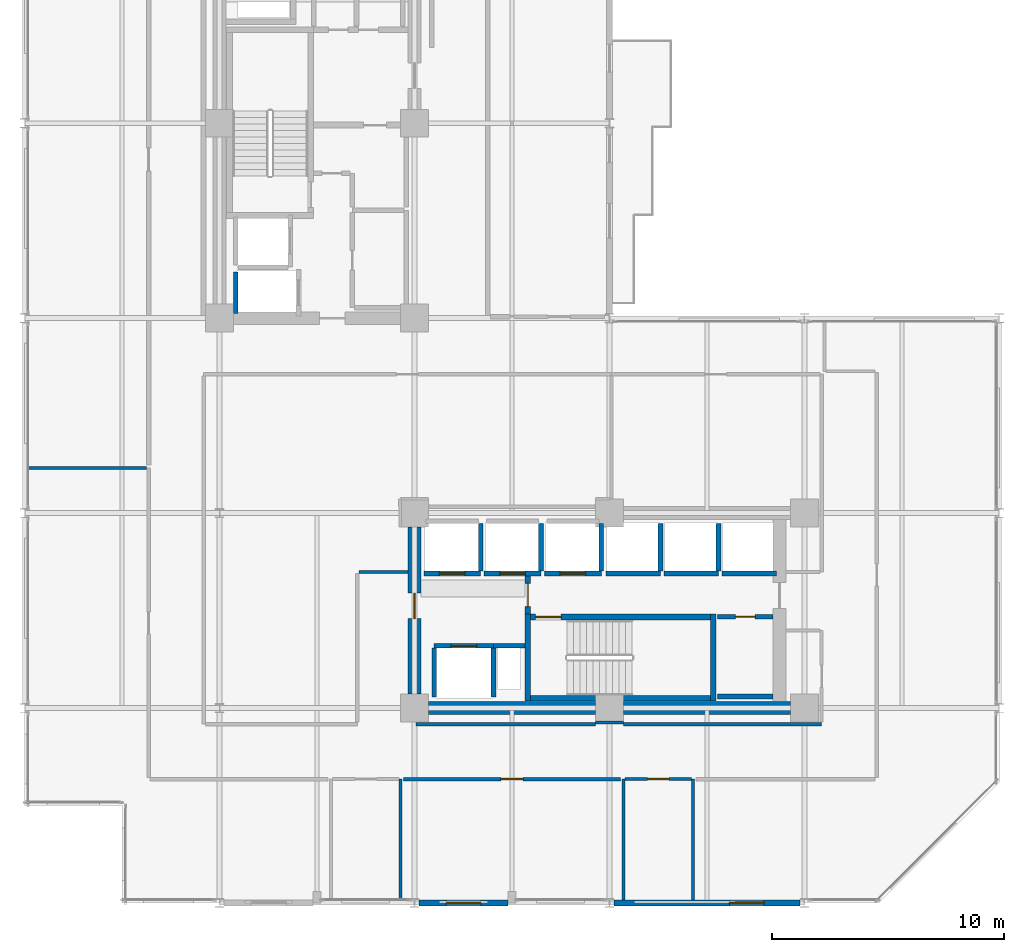
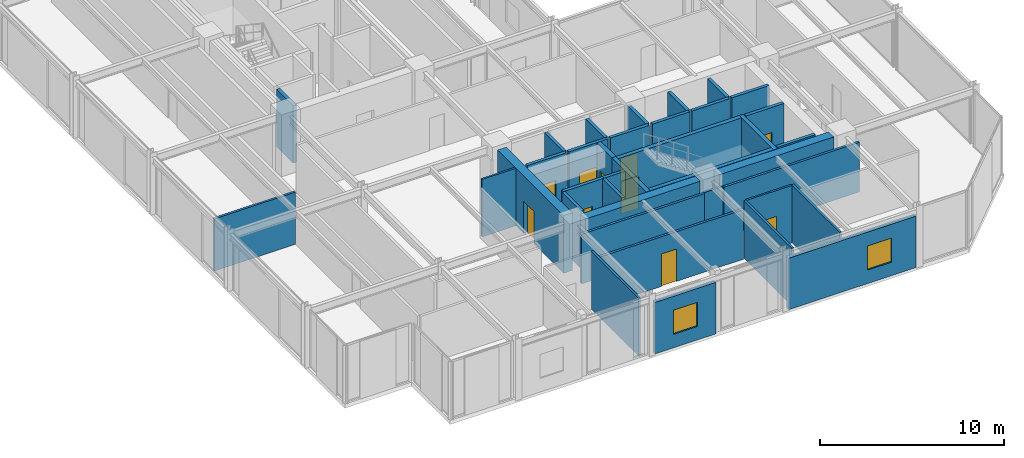
# One storey, part 24 of 29: 38 walls, 10 doors, 2 windows, 12 openings.
"""IFC4 building model written with IfcOpenShell, lengths in metres."""

from ifc_helpers import new_model, si_unit, direction, frame, frame_2d, origin, place, context, subcontext, project, spatial, rectangle, extrude, material, layer, layer_set, type_object, element, fill, save


model = new_model("IFC4")

# Units and contexts
model_context = context("Model", 3, precision=1e-05, world=origin(), true_north=direction((0.0, 1.0)))
body_context = subcontext(model_context, "Body", "Model", "MODEL_VIEW")
ifc_project = project(units=[si_unit("LENGTHUNIT", "METRE"), si_unit("AREAUNIT", "SQUARE_METRE"), si_unit("VOLUMEUNIT", "CUBIC_METRE"), si_unit("PLANEANGLEUNIT", "RADIAN"), si_unit("MASSUNIT", "GRAM", prefix="KILO")], contexts=[model_context])

# Site, building, storey
site_placement = place(None, origin())
site = spatial("IfcSite", under=ifc_project, at=site_placement, CompositionType="ELEMENT")
building_placement = place(site_placement, origin())
building = spatial("IfcBuilding", under=site, at=building_placement, Name="Nerrivon Quay Data Exchange", CompositionType="ELEMENT")
storey_placement = place(building_placement, frame((0.0, 0.0, 121.300048828125)))
storey = spatial("IfcBuildingStorey", under=building, at=storey_placement, Name="L28", CompositionType="ELEMENT", Elevation=121.300048828125)

# Wall, opening, window
ifc_material_1 = material(Name="Architectural terracotta precast concrete N50 (50 MPa)", Category="masonry")
ifc_layer_1 = layer(ifc_material_1, 0.239990234375)
ifc_layer_set_1 = layer_set([ifc_layer_1], Name="Architectural terracotta precast concrete N50 (50 MPa)")
wall_type_1 = type_object("IfcWallType", Name="EW-PREC-240", PredefinedType="STANDARD", material=ifc_layer_set_1)
wall_1_placement = place(storey_placement, frame((33.39990234375, 0.0, 0.0), z_axis=(0.0, 0.0, 1.0), x_axis=(-1.0, 0.0, 0.0)))
wall_1 = element("IfcWall", 1, at=wall_1_placement, inside=storey, type_object=wall_type_1, Name="L28 Podium Precast Spandrel Wall 3", PredefinedType="STANDARD", context=body_context, shape_type="SweptSolid", body=[
    extrude(rectangle(XDim=8.0, YDim=0.239990234375, at=frame_2d((4.0, 0.0))), origin(), (0.0, 0.0, 1.0), 3.421875),
])
opening_1_placement = place(wall_1_placement, frame((1.534912109375, 0.0, 0.89990234375)))
opening_1 = element("IfcOpeningElement", 2, at=opening_1_placement, cuts=wall_1, Name="Opening WN4", PredefinedType="OPENING", context=body_context, shape_type="SweptSolid", body=[
    extrude(rectangle(XDim=1.5, YDim=1.60009765625, at=frame_2d((0.75, 0.800048828125))), frame((0.0, 0.1298828125, 0.0), z_axis=(0.0, -1.0, 0.0), x_axis=(1.0, 0.0, 0.0)), (0.0, 0.0, 1.0), 0.260009765625),
])
ifc_material_2 = material(Name="Double-glazed low-E solar control glass", Category="glass")
window_type = type_object("IfcWindowType", Name="WIN-W4-1500x1600", PartitioningType="SINGLE_PANEL", PredefinedType="WINDOW", material=ifc_material_2)
window_1_placement = place(opening_1_placement, origin())
window_1 = element("IfcWindow", 3, at=window_1_placement, inside=storey, type_object=window_type, Name="L28 Solar Facade Window 3", OverallHeight=1.60009765625, OverallWidth=1.5, PartitioningType="SINGLE_PANEL", PredefinedType="WINDOW", context=body_context, shape_type="SweptSolid", body=[
    extrude(rectangle(XDim=1.5, YDim=1.60009765625, at=frame_2d((0.75, 0.800048828125))), frame((0.0, 0.030029296875, 0.0), z_axis=(0.0, -1.0, 0.0), x_axis=(1.0, 0.0, 0.0)), (0.0, 0.0, 1.0), 0.06005859375),
])
fill(opening_1, window_1)

wall_2_placement = place(storey_placement, frame((20.824951171875, 0.0, 0.0), z_axis=(0.0, 0.0, 1.0), x_axis=(-1.0, 0.0, 0.0)))
wall_2 = element("IfcWall", 4, at=wall_2_placement, inside=storey, type_object=wall_type_1, Name="L28 Podium Precast Spandrel Wall 5", PredefinedType="STANDARD", context=body_context, shape_type="SweptSolid", body=[
    extrude(rectangle(XDim=3.824951171875, YDim=0.239990234375, at=frame_2d((1.91259765625, 0.0))), origin(), (0.0, 0.0, 1.0), 3.421875),
])
opening_2_placement = place(wall_2_placement, frame((1.16259765625, 0.0, 0.89990234375)))
opening_2 = element("IfcOpeningElement", 5, at=opening_2_placement, cuts=wall_2, Name="Opening WN4", PredefinedType="OPENING", context=body_context, shape_type="SweptSolid", body=[
    extrude(rectangle(XDim=1.5, YDim=1.60009765625, at=frame_2d((0.75, 0.800048828125))), frame((0.0, 0.1298828125, 0.0), z_axis=(0.0, -1.0, 0.0), x_axis=(1.0, 0.0, 0.0)), (0.0, 0.0, 1.0), 0.260009765625),
])
window_2_placement = place(opening_2_placement, origin())
window_2 = element("IfcWindow", 6, at=window_2_placement, inside=storey, type_object=window_type, Name="L28 Solar Facade Window 5", OverallHeight=1.60009765625, OverallWidth=1.5, PartitioningType="SINGLE_PANEL", PredefinedType="WINDOW", context=body_context, shape_type="SweptSolid", body=[
    extrude(rectangle(XDim=1.5, YDim=1.60009765625, at=frame_2d((0.75, 0.800048828125))), frame((0.0, 0.030029296875, 0.0), z_axis=(0.0, -1.0, 0.0), x_axis=(1.0, 0.0, 0.0)), (0.0, 0.0, 1.0), 0.06005859375),
])
fill(opening_2, window_2)

# Walls
ifc_material_3 = material(Name="Concrete S65 (65 MPa)", Category="concrete")
ifc_layer_2 = layer(ifc_material_3, 0.550048828125)
ifc_layer_set_2 = layer_set([ifc_layer_2], Name="Concrete S65 (65 MPa)")
wall_type_2 = type_object("IfcWallType", Name="WALL-CW-700", PredefinedType="SHEAR", material=ifc_layer_set_2)
wall_3_placement = place(storey_placement, frame((17.39990234375, 8.39990234375, 0.0), z_axis=(0.0, 0.0, 1.0), x_axis=(1.0, 0.0, 0.0)))
element("IfcWall", 7, at=wall_3_placement, inside=storey, type_object=wall_type_2, Name="L28 East Split-Core Shear Wall ECW-S1", PredefinedType="SHEAR", context=body_context, shape_type="SweptSolid", body=[
    extrude(rectangle(XDim=7.2001953125, YDim=0.550048828125, at=frame_2d((3.60009765625, 0.0))), origin(), (0.0, 0.0, 1.0), 3.824951171875),
])
wall_4_placement = place(storey_placement, frame((25.800048828125, 8.39990234375, 0.0), z_axis=(0.0, 0.0, 1.0), x_axis=(1.0, 0.0, 0.0)))
element("IfcWall", 8, at=wall_4_placement, inside=storey, type_object=wall_type_2, Name="L28 East Split-Core Shear Wall ECW-S2", PredefinedType="SHEAR", context=body_context, shape_type="SweptSolid", body=[
    extrude(rectangle(XDim=7.199951171875, YDim=0.550048828125, at=frame_2d((3.60009765625, 0.0))), origin(), (0.0, 0.0, 1.0), 3.824951171875),
])

# Wall, opening, door
wall_5_placement = place(storey_placement, frame((16.800048828125, 9.0, 0.0), z_axis=(0.0, 0.0, 1.0), x_axis=(0.0, 1.0, 0.0)))
wall_5 = element("IfcWall", 9, at=wall_5_placement, inside=storey, type_object=wall_type_2, Name="L28 East Split-Core Shear Wall ECW-W1", PredefinedType="SHEAR", context=body_context, shape_type="SweptSolid", body=[
    extrude(rectangle(XDim=7.199951171875, YDim=0.550048828125, at=frame_2d((3.60009765625, 0.0))), origin(), (0.0, 0.0, 1.0), 3.824951171875),
])
opening_3_placement = place(wall_5_placement, frame((3.25, 0.0, 0.0)))
opening_3 = element("IfcOpeningElement", 10, at=opening_3_placement, cuts=wall_5, Name="Opening FD-120", PredefinedType="OPENING", context=body_context, shape_type="SweptSolid", body=[
    extrude(rectangle(XDim=1.10009765625, YDim=2.14990234375, at=frame_2d((0.550048828125, 1.074951171875))), frame((0.0, 0.284912109375, 0.0), z_axis=(0.0, -1.0, 0.0), x_axis=(1.0, 0.0, 0.0)), (0.0, 0.0, 1.0), 0.570068359375),
])
ifc_material_4 = material(Name="Powder-coated galvanized steel sheet", Category="steel")
door_type_1 = type_object("IfcDoorType", Name="DR-FD120-1100", OperationType="NOTDEFINED", PredefinedType="DOOR", material=ifc_material_4)
door_1_placement = place(opening_3_placement, origin())
door_1 = element("IfcDoor", 11, at=door_1_placement, inside=storey, type_object=door_type_1, Name="L28 East Core Lobby Fire Door", OperationType="SINGLE_SWING_RIGHT", OverallHeight=2.14990234375, OverallWidth=1.10009765625, PredefinedType="DOOR", context=body_context, shape_type="SweptSolid", body=[
    extrude(rectangle(XDim=1.10009765625, YDim=2.14990234375, at=frame_2d((0.550048828125, 1.074951171875))), frame((0.0, 0.02490234375, 0.0), z_axis=(0.0, -1.0, 0.0), x_axis=(1.0, 0.0, 0.0)), (0.0, 0.0, 1.0), 0.050048828125),
])
fill(opening_3, door_1)

# Walls
ifc_material_5 = material(Name="Gypsum plasterboard on cold-formed framing", Category="gypsum")
ifc_layer_3 = layer(ifc_material_5, 0.199951171875)
ifc_layer_set_3 = layer_set([ifc_layer_3], Name="Gypsum plasterboard on cold-formed framing")
wall_type_3 = type_object("IfcWallType", Name="WALL-FW-200", PredefinedType="PARTITIONING", material=ifc_layer_set_3)
wall_6_placement = place(storey_placement, frame((20.199951171875, 11.080078125, 0.0), z_axis=(0.0, 0.0, 1.0), x_axis=(1.0, 0.0, 0.0)))
element("IfcWall", 12, at=wall_6_placement, inside=storey, type_object=wall_type_3, Name="L28 East Core MEP Riser Shaft Wall N", PredefinedType="PARTITIONING", context=body_context, shape_type="SweptSolid", body=[
    extrude(rectangle(XDim=1.35009765625, YDim=0.199951171875, at=frame_2d((0.675048828125, 0.0))), origin(), (0.0, 0.0, 1.0), 3.824951171875),
])
wall_7_placement = place(storey_placement, frame((9.10009765625, 25.39990234375, 0.0), z_axis=(0.0, 0.0, 1.0), x_axis=(0.0, 1.0, 0.0)))
element("IfcWall", 13, at=wall_7_placement, inside=storey, type_object=wall_type_3, Name="L28 Lift Shaft Wall SVL-1 WEST", PredefinedType="PARTITIONING", context=body_context, shape_type="SweptSolid", body=[
    extrude(rectangle(XDim=1.800048828125, YDim=0.199951171875, at=frame_2d((0.89990234375, 0.0))), origin(), (0.0, 0.0, 1.0), 3.824951171875),
])

# Wall, opening, door
wall_8_placement = place(storey_placement, frame((17.64990234375, 11.080078125, 0.0), z_axis=(0.0, 0.0, 1.0), x_axis=(1.0, 0.0, 0.0)))
wall_8 = element("IfcWall", 14, at=wall_8_placement, inside=storey, type_object=wall_type_3, Name="L28 Lift Front Wall FFL-2", PredefinedType="PARTITIONING", context=body_context, shape_type="SweptSolid", body=[
    extrude(rectangle(XDim=2.550048828125, YDim=0.199951171875, at=frame_2d((1.27490234375, 0.0))), origin(), (0.0, 0.0, 1.0), 3.824951171875),
])
opening_4_placement = place(wall_8_placement, frame((0.72509765625, 0.0, 0.0)))
opening_4 = element("IfcOpeningElement", 15, at=opening_4_placement, cuts=wall_8, Name="Opening LD-120", PredefinedType="OPENING", context=body_context, shape_type="SweptSolid", body=[
    extrude(rectangle(XDim=1.10009765625, YDim=2.199951171875, at=frame_2d((0.550048828125, 1.10009765625))), frame((0.0, 0.10986328125, 0.0), z_axis=(0.0, -1.0, 0.0), x_axis=(1.0, 0.0, 0.0)), (0.0, 0.0, 1.0), 0.219970703125),
])
door_type_2 = type_object("IfcDoorType", Name="DR-LIFT-LD120", OperationType="DOUBLE_DOOR_SLIDING", PredefinedType="DOOR", material=ifc_material_4)
door_2_placement = place(opening_4_placement, origin())
door_2 = element("IfcDoor", 16, at=door_2_placement, inside=storey, type_object=door_type_2, Name="L28 Lift Landing Sliding Door FFL-2", OperationType="DOUBLE_DOOR_SLIDING", OverallHeight=2.199951171875, OverallWidth=1.10009765625, PredefinedType="DOOR", context=body_context, shape_type="SweptSolid", body=[
    extrude(rectangle(XDim=1.10009765625, YDim=2.199951171875, at=frame_2d((0.550048828125, 1.10009765625))), frame((0.0, 0.02490234375, 0.0), z_axis=(0.0, -1.0, 0.0), x_axis=(1.0, 0.0, 0.0)), (0.0, 0.0, 1.0), 0.050048828125),
])
fill(opening_4, door_2)

# Walls
for number, where, z_axis, x_axis, name in (
    (17, (20.199951171875, 8.8798828125, 0.0), (0.0, 0.0, 1.0), (0.0, 1.0, 0.0), "L28 Lift Shaft Wall FFL-2 EAST"),
    (18, (17.64990234375, 8.8798828125, 0.0), (0.0, 0.0, 1.0), (0.0, 1.0, 0.0), "L28 Lift Shaft Wall FFL-2 WEST"),
):
    element("IfcWall", number, at=place(storey_placement, frame(where, z_axis=z_axis, x_axis=x_axis)), inside=storey, type_object=wall_type_3, Name=name, PredefinedType="PARTITIONING", context=body_context, shape_type="SweptSolid", body=[
        extrude(rectangle(XDim=2.10009765625, YDim=0.199951171875, at=frame_2d((1.050048828125, 0.0))), origin(), (0.0, 0.0, 1.0), 3.824951171875),
    ])

# Wall, opening, door
wall_9_placement = place(storey_placement, frame((17.199951171875, 14.199951171875, 0.0), z_axis=(0.0, 0.0, 1.0), x_axis=(1.0, 0.0, 0.0)))
wall_9 = element("IfcWall", 19, at=wall_9_placement, inside=storey, type_object=wall_type_3, Name="L28 Lift Front Wall PL4", PredefinedType="PARTITIONING", context=body_context, shape_type="SweptSolid", body=[
    extrude(rectangle(XDim=2.449951171875, YDim=0.199951171875, at=frame_2d((1.22509765625, 0.0))), origin(), (0.0, 0.0, 1.0), 3.824951171875),
])
opening_5_placement = place(wall_9_placement, frame((0.675048828125, 0.0, 0.0)))
opening_5 = element("IfcOpeningElement", 20, at=opening_5_placement, cuts=wall_9, Name="Opening LD-120", PredefinedType="OPENING", context=body_context, shape_type="SweptSolid", body=[
    extrude(rectangle(XDim=1.10009765625, YDim=2.199951171875, at=frame_2d((0.550048828125, 1.10009765625))), frame((0.0, 0.10986328125, 0.0), z_axis=(0.0, -1.0, 0.0), x_axis=(1.0, 0.0, 0.0)), (0.0, 0.0, 1.0), 0.219970703125),
])
door_3_placement = place(opening_5_placement, origin())
door_3 = element("IfcDoor", 21, at=door_3_placement, inside=storey, type_object=door_type_2, Name="L28 Lift Landing Sliding Door PL4", OperationType="DOUBLE_DOOR_SLIDING", OverallHeight=2.199951171875, OverallWidth=1.10009765625, PredefinedType="DOOR", context=body_context, shape_type="SweptSolid", body=[
    extrude(rectangle(XDim=1.10009765625, YDim=2.199951171875, at=frame_2d((0.550048828125, 1.10009765625))), frame((0.0, 0.02490234375, 0.0), z_axis=(0.0, -1.0, 0.0), x_axis=(1.0, 0.0, 0.0)), (0.0, 0.0, 1.0), 0.050048828125),
])
fill(opening_5, door_3)

# Wall
wall_10_placement = place(storey_placement, frame((19.64990234375, 14.300048828125, 0.0), z_axis=(0.0, 0.0, 1.0), x_axis=(0.0, 1.0, 0.0)))
element("IfcWall", 22, at=wall_10_placement, inside=storey, type_object=wall_type_3, Name="L28 Lift Shaft Wall PL4 EAST", PredefinedType="PARTITIONING", context=body_context, shape_type="SweptSolid", body=[
    extrude(rectangle(XDim=2.050048828125, YDim=0.199951171875, at=frame_2d((1.02490234375, 0.0))), origin(), (0.0, 0.0, 1.0), 3.824951171875),
])

# Wall, opening, door
wall_11_placement = place(storey_placement, frame((19.800048828125, 14.199951171875, 0.0), z_axis=(0.0, 0.0, 1.0), x_axis=(1.0, 0.0, 0.0)))
wall_11 = element("IfcWall", 23, at=wall_11_placement, inside=storey, type_object=wall_type_3, Name="L28 Lift Front Wall PL5", PredefinedType="PARTITIONING", context=body_context, shape_type="SweptSolid", body=[
    extrude(rectangle(XDim=2.449951171875, YDim=0.199951171875, at=frame_2d((1.22509765625, 0.0))), origin(), (0.0, 0.0, 1.0), 3.824951171875),
])
opening_6_placement = place(wall_11_placement, frame((0.675048828125, 0.0, 0.0)))
opening_6 = element("IfcOpeningElement", 24, at=opening_6_placement, cuts=wall_11, Name="Opening LD-120", PredefinedType="OPENING", context=body_context, shape_type="SweptSolid", body=[
    extrude(rectangle(XDim=1.10009765625, YDim=2.199951171875, at=frame_2d((0.550048828125, 1.10009765625))), frame((0.0, 0.10986328125, 0.0), z_axis=(0.0, -1.0, 0.0), x_axis=(1.0, 0.0, 0.0)), (0.0, 0.0, 1.0), 0.219970703125),
])
door_4_placement = place(opening_6_placement, origin())
door_4 = element("IfcDoor", 25, at=door_4_placement, inside=storey, type_object=door_type_2, Name="L28 Lift Landing Sliding Door PL5", OperationType="DOUBLE_DOOR_SLIDING", OverallHeight=2.199951171875, OverallWidth=1.10009765625, PredefinedType="DOOR", context=body_context, shape_type="SweptSolid", body=[
    extrude(rectangle(XDim=1.10009765625, YDim=2.199951171875, at=frame_2d((0.550048828125, 1.10009765625))), frame((0.0, 0.02490234375, 0.0), z_axis=(0.0, -1.0, 0.0), x_axis=(1.0, 0.0, 0.0)), (0.0, 0.0, 1.0), 0.050048828125),
])
fill(opening_6, door_4)

# Wall
wall_12_placement = place(storey_placement, frame((22.25, 14.300048828125, 0.0), z_axis=(0.0, 0.0, 1.0), x_axis=(0.0, 1.0, 0.0)))
element("IfcWall", 26, at=wall_12_placement, inside=storey, type_object=wall_type_3, Name="L28 Lift Shaft Wall PL5 EAST", PredefinedType="PARTITIONING", context=body_context, shape_type="SweptSolid", body=[
    extrude(rectangle(XDim=2.050048828125, YDim=0.199951171875, at=frame_2d((1.02490234375, 0.0))), origin(), (0.0, 0.0, 1.0), 3.824951171875),
])

# Wall, opening, door
wall_13_placement = place(storey_placement, frame((22.39990234375, 14.199951171875, 0.0), z_axis=(0.0, 0.0, 1.0), x_axis=(1.0, 0.0, 0.0)))
wall_13 = element("IfcWall", 27, at=wall_13_placement, inside=storey, type_object=wall_type_3, Name="L28 Lift Front Wall PL6", PredefinedType="PARTITIONING", context=body_context, shape_type="SweptSolid", body=[
    extrude(rectangle(XDim=2.4501953125, YDim=0.199951171875, at=frame_2d((1.22509765625, 0.0))), origin(), (0.0, 0.0, 1.0), 3.824951171875),
])
opening_7_placement = place(wall_13_placement, frame((0.675048828125, 0.0, 0.0)))
opening_7 = element("IfcOpeningElement", 28, at=opening_7_placement, cuts=wall_13, Name="Opening LD-120", PredefinedType="OPENING", context=body_context, shape_type="SweptSolid", body=[
    extrude(rectangle(XDim=1.10009765625, YDim=2.199951171875, at=frame_2d((0.550048828125, 1.10009765625))), frame((0.0, 0.10986328125, 0.0), z_axis=(0.0, -1.0, 0.0), x_axis=(1.0, 0.0, 0.0)), (0.0, 0.0, 1.0), 0.219970703125),
])
door_5_placement = place(opening_7_placement, origin())
door_5 = element("IfcDoor", 29, at=door_5_placement, inside=storey, type_object=door_type_2, Name="L28 Lift Landing Sliding Door PL6", OperationType="DOUBLE_DOOR_SLIDING", OverallHeight=2.199951171875, OverallWidth=1.10009765625, PredefinedType="DOOR", context=body_context, shape_type="SweptSolid", body=[
    extrude(rectangle(XDim=1.10009765625, YDim=2.199951171875, at=frame_2d((0.550048828125, 1.10009765625))), frame((0.0, 0.02490234375, 0.0), z_axis=(0.0, -1.0, 0.0), x_axis=(1.0, 0.0, 0.0)), (0.0, 0.0, 1.0), 0.050048828125),
])
fill(opening_7, door_5)

# Walls
wall_14_placement = place(storey_placement, frame((24.85009765625, 14.300048828125, 0.0), z_axis=(0.0, 0.0, 1.0), x_axis=(0.0, 1.0, 0.0)))
element("IfcWall", 30, at=wall_14_placement, inside=storey, type_object=wall_type_3, Name="L28 Lift Shaft Wall PL6 EAST", PredefinedType="PARTITIONING", context=body_context, shape_type="SweptSolid", body=[
    extrude(rectangle(XDim=2.050048828125, YDim=0.199951171875, at=frame_2d((1.02490234375, 0.0))), origin(), (0.0, 0.0, 1.0), 3.824951171875),
])
wall_15_placement = place(storey_placement, frame((25.050048828125, 14.199951171875, 0.0), z_axis=(0.0, 0.0, 1.0), x_axis=(1.0, 0.0, 0.0)))
element("IfcWall", 31, at=wall_15_placement, inside=storey, type_object=wall_type_3, Name="L28 Lift Front Wall PL7", PredefinedType="PARTITIONING", context=body_context, shape_type="SweptSolid", body=[
    extrude(rectangle(XDim=2.349853515625, YDim=0.199951171875, at=frame_2d((1.1748046875, 0.0))), origin(), (0.0, 0.0, 1.0), 3.824951171875),
])
wall_16_placement = place(storey_placement, frame((27.39990234375, 14.300048828125, 0.0), z_axis=(0.0, 0.0, 1.0), x_axis=(0.0, 1.0, 0.0)))
element("IfcWall", 32, at=wall_16_placement, inside=storey, type_object=wall_type_3, Name="L28 Lift Shaft Wall PL7 EAST", PredefinedType="PARTITIONING", context=body_context, shape_type="SweptSolid", body=[
    extrude(rectangle(XDim=2.050048828125, YDim=0.199951171875, at=frame_2d((1.02490234375, 0.0))), origin(), (0.0, 0.0, 1.0), 3.824951171875),
])
wall_17_placement = place(storey_placement, frame((27.550048828125, 14.199951171875, 0.0), z_axis=(0.0, 0.0, 1.0), x_axis=(1.0, 0.0, 0.0)))
element("IfcWall", 33, at=wall_17_placement, inside=storey, type_object=wall_type_3, Name="L28 Lift Front Wall PL8", PredefinedType="PARTITIONING", context=body_context, shape_type="SweptSolid", body=[
    extrude(rectangle(XDim=2.349853515625, YDim=0.199951171875, at=frame_2d((1.1748046875, 0.0))), origin(), (0.0, 0.0, 1.0), 3.824951171875),
])
wall_18_placement = place(storey_placement, frame((29.89990234375, 14.300048828125, 0.0), z_axis=(0.0, 0.0, 1.0), x_axis=(0.0, 1.0, 0.0)))
element("IfcWall", 34, at=wall_18_placement, inside=storey, type_object=wall_type_3, Name="L28 Lift Shaft Wall PL8 EAST", PredefinedType="PARTITIONING", context=body_context, shape_type="SweptSolid", body=[
    extrude(rectangle(XDim=2.050048828125, YDim=0.199951171875, at=frame_2d((1.02490234375, 0.0))), origin(), (0.0, 0.0, 1.0), 3.824951171875),
])
wall_19_placement = place(storey_placement, frame((30.050048828125, 14.199951171875, 0.0), z_axis=(0.0, 0.0, 1.0), x_axis=(1.0, 0.0, 0.0)))
element("IfcWall", 35, at=wall_19_placement, inside=storey, type_object=wall_type_3, Name="L28 Lift Front Wall PL9", PredefinedType="PARTITIONING", context=body_context, shape_type="SweptSolid", body=[
    extrude(rectangle(XDim=2.349853515625, YDim=0.199951171875, at=frame_2d((1.1748046875, 0.0))), origin(), (0.0, 0.0, 1.0), 3.824951171875),
])

# Wall, opening, door
wall_20_placement = place(storey_placement, frame((32.24609375, 12.330078125, 0.0), z_axis=(0.0, 0.0, 1.0), x_axis=(-1.0, 0.0, 0.0)))
wall_20 = element("IfcWall", 36, at=wall_20_placement, inside=storey, type_object=wall_type_3, Name="L28 Partition East Supply Store", PredefinedType="PARTITIONING", context=body_context, shape_type="SweptSolid", body=[
    extrude(rectangle(XDim=2.39599609375, YDim=0.199951171875, at=frame_2d((1.197998046875, 0.0))), origin(), (0.0, 0.0, 1.0), 3.824951171875),
])
opening_8_placement = place(wall_20_placement, frame((0.77294921875, 0.0, 0.0)))
opening_8 = element("IfcOpeningElement", 37, at=opening_8_placement, cuts=wall_20, Name="Opening FD-60S", PredefinedType="OPENING", context=body_context, shape_type="SweptSolid", body=[
    extrude(rectangle(XDim=0.85009765625, YDim=2.14990234375, at=frame_2d((0.425048828125, 1.074951171875))), frame((0.0, 0.10986328125, 0.0), z_axis=(0.0, -1.0, 0.0), x_axis=(1.0, 0.0, 0.0)), (0.0, 0.0, 1.0), 0.219970703125),
])
ifc_material_6 = material(Name="Engineered hardwood timber", Category="wood")
door_type_3 = type_object("IfcDoorType", Name="DR-FD60-850", OperationType="NOTDEFINED", PredefinedType="DOOR", material=ifc_material_6)
door_6_placement = place(opening_8_placement, origin())
door_6 = element("IfcDoor", 38, at=door_6_placement, inside=storey, type_object=door_type_3, Name="L28 Door East Supply Store", OperationType="SINGLE_SWING_LEFT", OverallHeight=2.14990234375, OverallWidth=0.85009765625, PredefinedType="DOOR", context=body_context, shape_type="SweptSolid", body=[
    extrude(rectangle(XDim=0.85009765625, YDim=2.14990234375, at=frame_2d((0.425048828125, 1.074951171875))), frame((0.0, 0.02490234375, 0.0), z_axis=(0.0, -1.0, 0.0), x_axis=(1.0, 0.0, 0.0)), (0.0, 0.0, 1.0), 0.050048828125),
])
fill(opening_8, door_6)

# Wall
wall_21_placement = place(storey_placement, frame((29.85009765625, 8.89990234375, 0.0), z_axis=(0.0, 0.0, 1.0), x_axis=(1.0, 0.0, 0.0)))
element("IfcWall", 39, at=wall_21_placement, inside=storey, type_object=wall_type_3, Name="L28 Partition East Supply Store", PredefinedType="PARTITIONING", context=body_context, shape_type="SweptSolid", body=[
    extrude(rectangle(XDim=2.39599609375, YDim=0.199951171875, at=frame_2d((1.197998046875, 0.0))), origin(), (0.0, 0.0, 1.0), 3.824951171875),
])

# Wall, opening, door
ifc_layer_4 = layer(ifc_material_5, 0.1201171875)
ifc_layer_set_4 = layer_set([ifc_layer_4], Name="Gypsum plasterboard on cold-formed framing")
wall_type_4 = type_object("IfcWallType", Name="WALL-PT-120", PredefinedType="PARTITIONING", material=ifc_layer_set_4)
wall_22_placement = place(storey_placement, frame((28.728515625, 5.340087890625, 0.0), z_axis=(0.0, 0.0, 1.0), x_axis=(-1.0, 0.0, 0.0)))
wall_22 = element("IfcWall", 40, at=wall_22_placement, inside=storey, type_object=wall_type_4, Name="L28 Partition Public Washrooms", PredefinedType="PARTITIONING", context=body_context, shape_type="SweptSolid", body=[
    extrude(rectangle(XDim=2.85693359375, YDim=0.1201171875, at=frame_2d((1.428466796875, 0.0))), origin(), (0.0, 0.0, 1.0), 3.824951171875),
])
opening_9_placement = place(wall_22_placement, frame((0.968505859375, 0.0, 0.0)))
opening_9 = element("IfcOpeningElement", 41, at=opening_9_placement, cuts=wall_22, Name="Opening D-WC", PredefinedType="OPENING", context=body_context, shape_type="SweptSolid", body=[
    extrude(rectangle(XDim=0.919921875, YDim=2.10009765625, at=frame_2d((0.4599609375, 1.050048828125))), frame((0.0, 0.070068359375, 0.0), z_axis=(0.0, -1.0, 0.0), x_axis=(1.0, 0.0, 0.0)), (0.0, 0.0, 1.0), 0.14013671875),
])
door_type_4 = type_object("IfcDoorType", Name="DR-WC-920", OperationType="NOTDEFINED", PredefinedType="DOOR", material=ifc_material_6)
door_7_placement = place(opening_9_placement, origin())
door_7 = element("IfcDoor", 42, at=door_7_placement, inside=storey, type_object=door_type_4, Name="L28 Door Public Washrooms", OperationType="SINGLE_SWING_LEFT", OverallHeight=2.10009765625, OverallWidth=0.919921875, PredefinedType="DOOR", context=body_context, shape_type="SweptSolid", body=[
    extrude(rectangle(XDim=0.919921875, YDim=2.10009765625, at=frame_2d((0.4599609375, 1.050048828125))), frame((0.0, 0.02490234375, 0.0), z_axis=(0.0, -1.0, 0.0), x_axis=(1.0, 0.0, 0.0)), (0.0, 0.0, 1.0), 0.050048828125),
])
fill(opening_9, door_7)

# Walls
wall_23_placement = place(storey_placement, frame((25.805908203125, 7.781005859375, 0.0), z_axis=(0.0, 0.0, 1.0), x_axis=(-0.999999672047, -0.000809880277, 0.0)))
element("IfcWall", 43, at=wall_23_placement, inside=storey, type_object=wall_type_4, Name="L28 Partition Staff Pantry", PredefinedType="PARTITIONING", context=body_context, shape_type="SweptSolid", body=[
    extrude(rectangle(XDim=1.205810546875, YDim=0.1201171875, at=frame_2d((0.60302734375, 0.0))), origin(), (0.0, 0.0, 1.0), 3.296875),
])
wall_24_placement = place(storey_placement, frame((14.39990234375, 14.260009765625, 0.0), z_axis=(0.0, 0.0, 1.0), x_axis=(1.0, 0.0, 0.0)))
element("IfcWall", 44, at=wall_24_placement, inside=storey, type_object=wall_type_4, Name="L28 Partition Staff Bistro", PredefinedType="PARTITIONING", context=body_context, shape_type="SweptSolid", body=[
    extrude(rectangle(XDim=2.12109375, YDim=0.1201171875, at=frame_2d((1.060546875, 0.0))), origin(), (0.0, 0.0, 1.0), 3.824951171875),
])
ifc_layer_5 = layer(ifc_material_5, 0.135009765625)
ifc_layer_set_5 = layer_set([ifc_layer_5], Name="Gypsum plasterboard on cold-formed framing")
wall_type_5 = type_object("IfcWallType", Name="WALL-PT-135", PredefinedType="PARTITIONING", material=ifc_layer_set_5)
wall_25_placement = place(storey_placement, frame((16.199951171875, 0.1689453125, 0.0), z_axis=(0.0, 0.0, 1.0), x_axis=(0.0, 1.0, 0.0)))
element("IfcWall", 45, at=wall_25_placement, inside=storey, type_object=wall_type_5, Name="L28 Partition Accessible Toilet", PredefinedType="PARTITIONING", context=body_context, shape_type="SweptSolid", body=[
    extrude(rectangle(XDim=5.171142578125, YDim=0.135009765625, at=frame_2d((2.58544921875, 0.0))), origin(), (0.0, 0.0, 1.0), 3.824951171875),
])
for number, where, z_axis, x_axis, name in (
    (46, (25.800048828125, 5.340087890625, 0.0), (0.0, 0.0, 1.0), (0.0, -1.0, 0.0), "L28 Partition Public Washrooms"),
    (47, (28.800048828125, 0.1240234375, 0.0), (0.0, 0.0, 1.0), (0.0, 1.0, 0.0), "L28 Partition Public Washrooms"),
):
    element("IfcWall", number, at=place(storey_placement, frame(where, z_axis=z_axis, x_axis=x_axis)), inside=storey, type_object=wall_type_5, Name=name, PredefinedType="PARTITIONING", context=body_context, shape_type="SweptSolid", body=[
        extrude(rectangle(XDim=5.216064453125, YDim=0.135009765625, at=frame_2d((2.60791015625, 0.0))), origin(), (0.0, 0.0, 1.0), 3.824951171875),
    ])
wall_26_placement = place(storey_placement, frame((5.260986328125, 18.747314453125, 0.0), z_axis=(0.0, 0.0, 1.0), x_axis=(-1.0, 0.0, 0.0)))
element("IfcWall", 48, at=wall_26_placement, inside=storey, type_object=wall_type_5, Name="L28 Partition Quiet Reading Room", PredefinedType="PARTITIONING", context=body_context, shape_type="SweptSolid", body=[
    extrude(rectangle(XDim=5.092041015625, YDim=0.135009765625, at=frame_2d((2.5458984375, 0.0))), origin(), (0.0, 0.0, 1.0), 3.468994140625),
])
ifc_layer_6 = layer(ifc_material_5, 0.14990234375)
ifc_layer_set_6 = layer_set([ifc_layer_6], Name="Gypsum plasterboard on cold-formed framing")
wall_type_6 = type_object("IfcWallType", Name="WALL-PT-150", PredefinedType="PARTITIONING", material=ifc_layer_set_6)
wall_27_placement = place(storey_placement, frame((16.860107421875, 7.7099609375, 0.0), z_axis=(0.0, 0.0, 1.0), x_axis=(1.0, 0.0, 0.0)))
element("IfcWall", 49, at=wall_27_placement, inside=storey, type_object=wall_type_6, Name="L28 Partition Staff Pantry", PredefinedType="PARTITIONING", context=body_context, shape_type="SweptSolid", body=[
    extrude(rectangle(XDim=7.739990234375, YDim=0.14990234375, at=frame_2d((3.8701171875, 0.0))), origin(), (0.0, 0.0, 1.0), 3.296875),
])
wall_28_placement = place(storey_placement, frame((25.805908203125, 7.7099609375, 0.0), z_axis=(0.0, 0.0, 1.0), x_axis=(1.0, 0.0, 0.0)))
element("IfcWall", 50, at=wall_28_placement, inside=storey, type_object=wall_type_6, Name="L28 Partition Staff Pantry", PredefinedType="PARTITIONING", context=body_context, shape_type="SweptSolid", body=[
    extrude(rectangle(XDim=8.5341796875, YDim=0.14990234375, at=frame_2d((4.26708984375, 0.0))), origin(), (0.0, 0.0, 1.0), 3.296875),
])

# Wall, opening, door
wall_29_placement = place(storey_placement, frame((25.679931640625, 5.340087890625, 0.0), z_axis=(0.0, 0.0, 1.0), x_axis=(-1.0, 0.0, 0.0)))
wall_29 = element("IfcWall", 51, at=wall_29_placement, inside=storey, type_object=wall_type_6, Name="L28 Partition Client Conference Room 1", PredefinedType="PARTITIONING", context=body_context, shape_type="SweptSolid", body=[
    extrude(rectangle(XDim=9.35986328125, YDim=0.14990234375, at=frame_2d((4.679931640625, 0.0))), origin(), (0.0, 0.0, 1.0), 3.296875),
])
opening_10_placement = place(wall_29_placement, frame((4.205078125, 0.0, 0.0)))
opening_10 = element("IfcOpeningElement", 52, at=opening_10_placement, cuts=wall_29, Name="Opening D-01", PredefinedType="OPENING", context=body_context, shape_type="SweptSolid", body=[
    extrude(rectangle(XDim=0.949951171875, YDim=2.14990234375, at=frame_2d((0.47509765625, 1.074951171875))), frame((0.0, 0.0849609375, 0.0), z_axis=(0.0, -1.0, 0.0), x_axis=(1.0, 0.0, 0.0)), (0.0, 0.0, 1.0), 0.169921875),
])
door_type_5 = type_object("IfcDoorType", Name="DR-INT-950", OperationType="NOTDEFINED", PredefinedType="DOOR", material=ifc_material_6)
door_8_placement = place(opening_10_placement, origin())
door_8 = element("IfcDoor", 53, at=door_8_placement, inside=storey, type_object=door_type_5, Name="L28 Door Client Conference Room 1", OperationType="SINGLE_SWING_LEFT", OverallHeight=2.14990234375, OverallWidth=0.949951171875, PredefinedType="DOOR", context=body_context, shape_type="SweptSolid", body=[
    extrude(rectangle(XDim=0.949951171875, YDim=2.14990234375, at=frame_2d((0.47509765625, 1.074951171875))), frame((0.0, 0.02490234375, 0.0), z_axis=(0.0, -1.0, 0.0), x_axis=(1.0, 0.0, 0.0)), (0.0, 0.0, 1.0), 0.050048828125),
])
fill(opening_10, door_8)

# Walls
ifc_material_7 = material(Name="Concrete N50 (50 MPa)", Category="concrete")
ifc_layer_7 = layer(ifc_material_7, 0.25)
ifc_layer_set_7 = layer_set([ifc_layer_7], Name="Concrete N50 (50 MPa)")
wall_type_7 = type_object("IfcWallType", Name="WALL-SW-250", PredefinedType="SHEAR", material=ifc_layer_set_7)
for number, where, z_axis, x_axis, name in (
    (54, (21.675048828125, 8.699951171875, 0.0), (0.0, 0.0, 1.0), (0.0, 1.0, 0.0), "L28 ST02 Structural Stair Core Wall NEAR"),
    (55, (29.675048828125, 8.699951171875, 0.0), (0.0, 0.0, 1.0), (0.0, 1.0, 0.0), "L28 ST02 Structural Stair Core Wall FAR"),
):
    element("IfcWall", number, at=place(storey_placement, frame(where, z_axis=z_axis, x_axis=x_axis)), inside=storey, type_object=wall_type_7, Name=name, PredefinedType="SHEAR", context=body_context, shape_type="SweptSolid", body=[
        extrude(rectangle(XDim=3.75, YDim=0.25, at=frame_2d((1.875, 0.0))), origin(), (0.0, 0.0, 1.0), 3.824951171875),
    ])
wall_30_placement = place(storey_placement, frame((21.800048828125, 8.824951171875, 0.0), z_axis=(0.0, 0.0, 1.0), x_axis=(1.0, 0.0, 0.0)))
element("IfcWall", 56, at=wall_30_placement, inside=storey, type_object=wall_type_7, Name="L28 ST02 Structural Stair Core Wall LEFT", PredefinedType="SHEAR", context=body_context, shape_type="SweptSolid", body=[
    extrude(rectangle(XDim=7.75, YDim=0.25, at=frame_2d((3.875, 0.0))), origin(), (0.0, 0.0, 1.0), 3.824951171875),
])

# Wall, opening, door
wall_31_placement = place(storey_placement, frame((21.800048828125, 12.324951171875, 0.0), z_axis=(0.0, 0.0, 1.0), x_axis=(1.0, 0.0, 0.0)))
wall_31 = element("IfcWall", 57, at=wall_31_placement, inside=storey, type_object=wall_type_7, Name="L28 ST02 Structural Stair Core Wall RIGHT", PredefinedType="SHEAR", context=body_context, shape_type="SweptSolid", body=[
    extrude(rectangle(XDim=7.75, YDim=0.25, at=frame_2d((3.875, 0.0))), origin(), (0.0, 0.0, 1.0), 3.824951171875),
])
opening_11_placement = place(wall_31_placement, frame((0.219970703125, 0.0, 0.0)))
opening_11 = element("IfcOpeningElement", 58, at=opening_11_placement, cuts=wall_31, Name="Opening FD-120", PredefinedType="OPENING", context=body_context, shape_type="SweptSolid", body=[
    extrude(rectangle(XDim=1.10009765625, YDim=2.14990234375, at=frame_2d((0.550048828125, 1.074951171875))), frame((0.0, 0.135009765625, 0.0), z_axis=(0.0, -1.0, 0.0), x_axis=(1.0, 0.0, 0.0)), (0.0, 0.0, 1.0), 0.27001953125),
])
door_9_placement = place(opening_11_placement, origin())
door_9 = element("IfcDoor", 59, at=door_9_placement, inside=storey, type_object=door_type_1, Name="L28 Protected Stair Door ST02", OperationType="SINGLE_SWING_RIGHT", OverallHeight=2.14990234375, OverallWidth=1.10009765625, PredefinedType="DOOR", context=body_context, shape_type="SweptSolid", body=[
    extrude(rectangle(XDim=1.10009765625, YDim=2.14990234375, at=frame_2d((0.550048828125, 1.074951171875))), frame((0.0, 0.02490234375, 0.0), z_axis=(0.0, -1.0, 0.0), x_axis=(1.0, 0.0, 0.0)), (0.0, 0.0, 1.0), 0.050048828125),
])
fill(opening_11, door_9)

wall_32_placement = place(storey_placement, frame((21.679931640625, 12.449951171875, 0.0), z_axis=(0.0, 0.0, 1.0), x_axis=(0.0, 1.0, 0.0)))
wall_32 = element("IfcWall", 60, at=wall_32_placement, inside=storey, type_object=wall_type_7, Name="L28 East Firefighting Lobby Wall", PredefinedType="SHEAR", context=body_context, shape_type="SweptSolid", body=[
    extrude(rectangle(XDim=1.650146484375, YDim=0.25, at=frame_2d((0.8251953125, 0.0))), origin(), (0.0, 0.0, 1.0), 3.824951171875),
])
opening_12_placement = place(wall_32_placement, frame((0.324951171875, 0.0, 0.0)))
opening_12 = element("IfcOpeningElement", 61, at=opening_12_placement, cuts=wall_32, Name="Opening FD-60", PredefinedType="OPENING", context=body_context, shape_type="SweptSolid", body=[
    extrude(rectangle(XDim=1.0, YDim=2.14990234375, at=frame_2d((0.5, 1.074951171875))), frame((0.0, 0.135009765625, 0.0), z_axis=(0.0, -1.0, 0.0), x_axis=(1.0, 0.0, 0.0)), (0.0, 0.0, 1.0), 0.27001953125),
])
door_type_6 = type_object("IfcDoorType", Name="DR-FD60-1000", OperationType="NOTDEFINED", PredefinedType="DOOR", material=ifc_material_6)
door_10_placement = place(opening_12_placement, origin())
door_10 = element("IfcDoor", 62, at=door_10_placement, inside=storey, type_object=door_type_6, Name="L28 East Firefighting Lobby Fire Door", OperationType="SINGLE_SWING_RIGHT", OverallHeight=2.14990234375, OverallWidth=1.0, PredefinedType="DOOR", context=body_context, shape_type="SweptSolid", body=[
    extrude(rectangle(XDim=1.0, YDim=2.14990234375, at=frame_2d((0.5, 1.074951171875))), frame((0.0, 0.02490234375, 0.0), z_axis=(0.0, -1.0, 0.0), x_axis=(1.0, 0.0, 0.0)), (0.0, 0.0, 1.0), 0.050048828125),
])
fill(opening_12, door_10)

save(model, "model.ifc")
